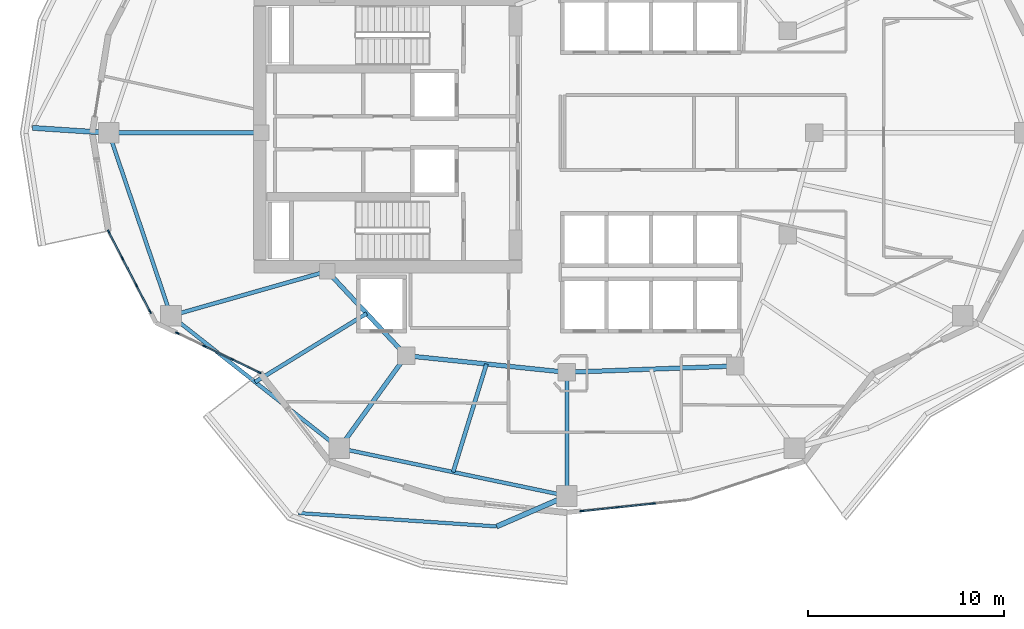
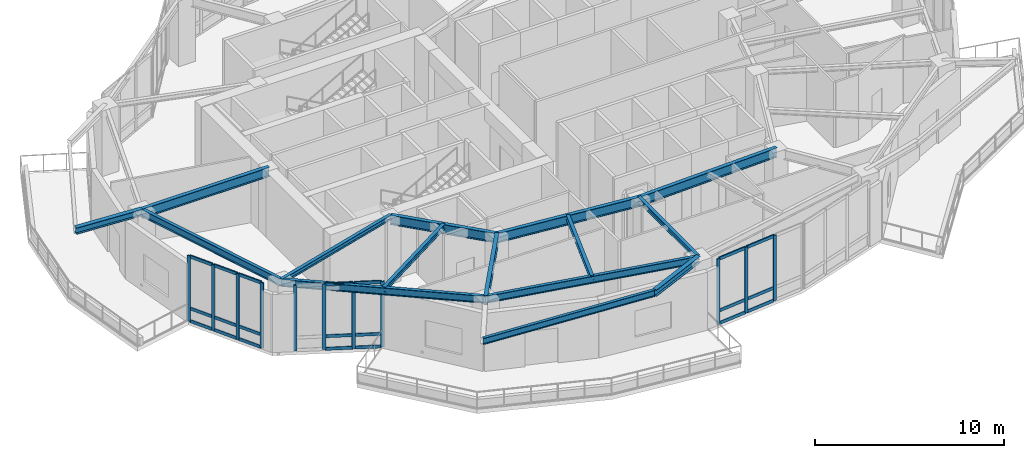
# One storey, part 2 of 16: 32 members, 15 beams, 3 elements without a shape of their own.
"""IFC4 building model written with IfcOpenShell, lengths in metres."""

import ifcopenshell
import ifcopenshell.guid

model = None  # the IFC model being written
_history = None  # IfcOwnerHistory: only IFC2X3 demands one
_inside = {}  # id of a spatial element -> (the spatial element, [elements in it])
_under = {}  # id of a project, library or spatial element -> (it, [spatial elements below it])
_declared = {}  # id of a project -> (the project, [libraries it declares])
_typed = {}  # id of a type object -> (the type object, [elements of that type])
_made_of = {}  # id of a material, layer set ... -> (it, [elements and type objects made of it])


def new_model(schema):
    """Start an empty IFC model of exactly this schema.

    Asked for "IFC4X3", IfcOpenShell would pick the latest addendum, in which some entities
    have other attributes; the version numbers below select the first issue.
    IFC2X3 requires an IfcOwnerHistory on every rooted entity: one is made here for all.
    """
    global model, _history
    if schema == "IFC4X3":
        model = ifcopenshell.file(schema_version=(4, 3, 0, 0))
    else:
        model = ifcopenshell.file(schema=schema)
    _inside.clear()
    _under.clear()
    _declared.clear()
    _typed.clear()
    _made_of.clear()
    _history = None
    if model.schema == "IFC2X3":
        org = make("IfcOrganization", Name="unknown")
        user = make(
            "IfcPersonAndOrganization",
            ThePerson=make("IfcPerson", FamilyName="unknown"),
            TheOrganization=org,
        )
        app = make(
            "IfcApplication",
            ApplicationDeveloper=org,
            Version="unknown",
            ApplicationFullName="unknown",
            ApplicationIdentifier="unknown",
        )
        _history = make(
            "IfcOwnerHistory",
            OwningUser=user,
            OwningApplication=app,
            ChangeAction="ADDED",
            CreationDate=0,
        )
    return model


def make(cls, **values):
    """One entity of the class cls with the attributes given. An attribute that is None is left unset."""
    return model.create_entity(
        cls, **{name: value for name, value in values.items() if value is not None}
    )


def rooted(cls, **values):
    """An entity with a GlobalId (a new one), such as an element, a storey or a relation."""
    return make(cls, GlobalId=ifcopenshell.guid.new(), OwnerHistory=_history, **values)


def si_unit(unit_type, name, prefix=None):
    """IfcSIUnit, for example si_unit("LENGTHUNIT", "METRE", prefix="MILLI")."""
    return make("IfcSIUnit", UnitType=unit_type, Prefix=prefix, Name=name)


def assignment(units):
    """IfcUnitAssignment: the units of a project."""
    return None if units is None else make("IfcUnitAssignment", Units=units)


def point(xyz):
    """IfcCartesianPoint."""
    return None if xyz is None else make("IfcCartesianPoint", Coordinates=xyz)


def direction(xyz):
    """IfcDirection."""
    return None if xyz is None else make("IfcDirection", DirectionRatios=xyz)


def frame(location, z_axis=None, x_axis=None):
    """IfcAxis2Placement3D, a coordinate frame: its origin and axes. An axis left out is left unset."""
    return make(
        "IfcAxis2Placement3D",
        Location=point(location),
        Axis=direction(z_axis),
        RefDirection=direction(x_axis),
    )


def frame_2d(location, x_axis=None):
    """IfcAxis2Placement2D, a coordinate frame in the plane: its origin and x axis."""
    return make(
        "IfcAxis2Placement2D", Location=point(location), RefDirection=direction(x_axis)
    )


def origin():
    """The frame at (0, 0, 0) with its axes left unset."""
    return frame((0.0, 0.0, 0.0))


def origin_2d():
    """The frame at (0, 0) in the plane with its x axis left unset."""
    return frame_2d((0.0, 0.0))


def place(relative_to, where):
    """IfcLocalPlacement: puts the frame where relative to a parent placement (None: the world)."""
    return make(
        "IfcLocalPlacement", PlacementRelTo=relative_to, RelativePlacement=where
    )


def context(
    kind, dimensions, precision=None, world=None, true_north=None, identifier=None
):
    """IfcGeometricRepresentationContext, for example the 3D "Model" context."""
    return make(
        "IfcGeometricRepresentationContext",
        ContextIdentifier=identifier,
        ContextType=kind,
        CoordinateSpaceDimension=dimensions,
        Precision=precision,
        WorldCoordinateSystem=world,
        TrueNorth=true_north,
    )


def subcontext(parent, identifier, kind, view, scale=None):
    """IfcGeometricRepresentationSubContext, for example "Body" below "Model"."""
    return make(
        "IfcGeometricRepresentationSubContext",
        ContextIdentifier=identifier,
        ContextType=kind,
        ParentContext=parent,
        TargetScale=scale,
        TargetView=view,
    )


def project(units=None, contexts=None):
    """IfcProject with its units and contexts."""
    return rooted(
        "IfcProject",
        Name="project",
        RepresentationContexts=contexts,
        UnitsInContext=assignment(units),
    )


def spatial(cls, under=None, at=None, **own):
    """A site, building, storey or space (cls), placed at a placement, below another one or the project."""
    s = rooted(cls, ObjectPlacement=at, **own)
    if under is not None:
        _under.setdefault(under.id(), (under, []))[1].append(s)
    return s


def profile(cls, at=None, kind="AREA", **sizes):
    """A parametric profile (cls). Its sizes go by their IFC names, for example OverallWidth=200.0."""
    return make(cls, ProfileType=kind, Position=at, **sizes)


def rectangle(**sizes):
    """IfcRectangleProfileDef."""
    return profile("IfcRectangleProfileDef", **sizes)


def i_section(**sizes):
    """IfcIShapeProfileDef."""
    return profile("IfcIShapeProfileDef", **sizes)


def extrude(swept, where, along, depth):
    """IfcExtrudedAreaSolid: the profile swept, set in the frame where, extruded along a direction by depth."""
    return make(
        "IfcExtrudedAreaSolid",
        SweptArea=swept,
        Position=where,
        ExtrudedDirection=direction(along),
        Depth=depth,
    )


def shape(context_of_items, identifier, shape_type, items):
    """IfcShapeRepresentation: the items that make up one representation, for example the "Body"."""
    return make(
        "IfcShapeRepresentation",
        ContextOfItems=context_of_items,
        RepresentationIdentifier=identifier,
        RepresentationType=shape_type,
        Items=items,
    )


def material(Name=None, Category=None):
    """IfcMaterial."""
    return make("IfcMaterial", Name=Name, Category=Category)


def layer(
    of_material, thickness, ventilated=None, Name=None, Category=None, Priority=None
):
    """IfcMaterialLayer: one layer of a wall or slab, of a material (None: an air gap)."""
    return make(
        "IfcMaterialLayer",
        Material=of_material,
        LayerThickness=thickness,
        IsVentilated=ventilated,
        Name=Name,
        Category=Category,
        Priority=Priority,
    )


def layer_set(layers, Name=None):
    """IfcMaterialLayerSet."""
    return make("IfcMaterialLayerSet", MaterialLayers=layers, LayerSetName=Name)


def material_profile(
    of_material, cross_section, Name=None, Category=None, Priority=None
):
    """IfcMaterialProfile: a cross section and its material."""
    return make(
        "IfcMaterialProfile",
        Name=Name,
        Material=of_material,
        Profile=cross_section,
        Priority=Priority,
        Category=Category,
    )


def profile_set(profiles, Name=None, composite=None):
    """IfcMaterialProfileSet."""
    return make(
        "IfcMaterialProfileSet",
        Name=Name,
        MaterialProfiles=profiles,
        CompositeProfile=composite,
    )


def made_of(thing, what):
    """Note that an element or type object is made of a material, layer set ...; save() writes the relation."""
    if what is not None:
        _made_of.setdefault(what.id(), (what, []))[1].append(thing)
    return thing


def type_object(cls, material=None, **own):
    """A type object (cls), such as IfcWallType, which elements share."""
    return made_of(rooted(cls, **own), material)


def element(
    cls,
    number,
    at=None,
    inside=None,
    cuts=None,
    type_object=None,
    material=None,
    context=None,
    identifier="Body",
    shape_type=None,
    held_by="IfcProductDefinitionShape",
    body=None,
    shapes=None,
    **own,
):
    """One element of the class cls, such as IfcWall. Its Tag is "e" and its number.

    at: its placement. inside: the storey or other place that contains it. cuts: it is an
    opening in that element (IfcRelVoidsElement). A single representation is given by context,
    identifier, shape_type and body (its items); several are given by shapes. held_by: the class
    of the entity that holds the representations. save() writes the other relations.
    """
    e = rooted(cls, Tag="e%d" % number, ObjectPlacement=at, **own)
    if body is not None:
        shapes = [shape(context, identifier, shape_type, body)]
    if shapes is not None:
        e.Representation = make(held_by, Representations=shapes)
    if inside is not None:
        _inside.setdefault(inside.id(), (inside, []))[1].append(e)
    if cuts is not None:
        rooted(
            "IfcRelVoidsElement", RelatingBuildingElement=cuts, RelatedOpeningElement=e
        )
    if type_object is not None:
        _typed.setdefault(type_object.id(), (type_object, []))[1].append(e)
    return made_of(e, material)


def aggregate(whole, parts):
    """IfcRelAggregates: a whole, such as a stair, and the parts it consists of."""
    return rooted("IfcRelAggregates", RelatingObject=whole, RelatedObjects=parts)


def save(model, path):
    """Write the relations noted so far, then the file.

    IfcRelAggregates (storeys below a building ...), IfcRelContainedInSpatialStructure (elements
    in a storey), IfcRelDefinesByType, IfcRelAssociatesMaterial and IfcRelDeclares: one each for
    every whole, place, type object, material and project.
    """
    for whole, parts in _under.values():
        aggregate(whole, parts)
    for where, things in _inside.values():
        rooted(
            "IfcRelContainedInSpatialStructure",
            RelatedElements=things,
            RelatingStructure=where,
        )
    for kind, things in _typed.values():
        rooted("IfcRelDefinesByType", RelatedObjects=things, RelatingType=kind)
    for what, things in _made_of.values():
        rooted("IfcRelAssociatesMaterial", RelatedObjects=things, RelatingMaterial=what)
    for by, libraries in _declared.values():
        rooted("IfcRelDeclares", RelatingContext=by, RelatedDefinitions=libraries)
    model.write(path)


model = new_model("IFC4")

# Units and contexts
model_context = context("Model", 3, precision=1e-05, world=origin(), true_north=direction((0.0, 1.0)))
body_context = subcontext(model_context, "Body", "Model", "MODEL_VIEW")
ifc_project = project(units=[si_unit("LENGTHUNIT", "METRE"), si_unit("AREAUNIT", "SQUARE_METRE"), si_unit("VOLUMEUNIT", "CUBIC_METRE"), si_unit("PLANEANGLEUNIT", "RADIAN"), si_unit("MASSUNIT", "GRAM", prefix="KILO")], contexts=[model_context])

# Site, building, storey
site_placement = place(None, origin())
site = spatial("IfcSite", under=ifc_project, at=site_placement, CompositionType="ELEMENT")
building_placement = place(site_placement, origin())
building = spatial("IfcBuilding", under=site, at=building_placement, Name="Kolvaren Gate Tower and Convention Centre", CompositionType="ELEMENT")
storey_placement = place(building_placement, frame((0.0, 0.0, 100.800048828125)))
storey = spatial("IfcBuildingStorey", under=building, at=storey_placement, Name="L24", CompositionType="ELEMENT", Elevation=100.800048828125)

# Curtain wall, members
ifc_material_1 = material(Name="Anodized Architectural Aluminium Alloy 6063-T6", Category="aluminium")
ifc_layer = layer(ifc_material_1, 0.199951171875)
ifc_layer_set = layer_set([ifc_layer], Name="Anodized Architectural Aluminium Alloy 6063-T6")
curtain_wall_type = type_object("IfcCurtainWallType", Name="CW-SKY-GLZ", PredefinedType="NOTDEFINED", material=ifc_layer_set)
curtain_wall_1_placement = place(storey_placement, origin())
curtain_wall_1 = element("IfcCurtainWall", 1, at=curtain_wall_1_placement, inside=storey, type_object=curtain_wall_type, Name="L24 Panoramic Structural Curtain Wall CW-13", PredefinedType="NOTDEFINED")
ifc_material_profile_1 = material_profile(ifc_material_1, rectangle(XDim=0.074951171875, YDim=0.199951171875, at=origin_2d()), Name="CW-MEM-MUL-200")
ifc_profile_set_1 = profile_set([ifc_material_profile_1], Name="Anodized Architectural Aluminium Alloy 6063-T6")
member_type_1 = type_object("IfcMemberType", Name="CW-MEM-MUL-200", PredefinedType="MULLION", material=ifc_profile_set_1)
member_1_placement = place(storey_placement, frame((6.779052734375, 21.95849609375, 0.0), z_axis=(0.0, 0.0, 1.0), x_axis=(0.888034046346, 0.459777699035, 0.0)))
member_1 = element("IfcMember", 2, at=member_1_placement, type_object=member_type_1, Name="CW-05 mullion 1", PredefinedType="MULLION", context=body_context, shape_type="SweptSolid", body=[
    extrude(rectangle(XDim=0.074951171875, YDim=0.199951171875, at=origin_2d()), origin(), (0.0, 0.0, 1.0), 4.22998046875),
])
member_2_placement = place(storey_placement, frame((7.474853515625, 20.6142578125, 0.0), z_axis=(0.0, 0.0, 1.0), x_axis=(0.888034046346, 0.459777699035, 0.0)))
member_2 = element("IfcMember", 3, at=member_2_placement, type_object=member_type_1, Name="CW-05 mullion 2", PredefinedType="MULLION", context=body_context, shape_type="SweptSolid", body=[
    extrude(rectangle(XDim=0.074951171875, YDim=0.199951171875, at=origin_2d()), origin(), (0.0, 0.0, 1.0), 4.22998046875),
])
member_3_placement = place(storey_placement, frame((8.188232421875, 19.236572265625, 0.0), z_axis=(0.0, 0.0, 1.0), x_axis=(0.888034046346, 0.459777699035, 0.0)))
member_3 = element("IfcMember", 4, at=member_3_placement, type_object=member_type_1, Name="CW-05 mullion 3", PredefinedType="MULLION", context=body_context, shape_type="SweptSolid", body=[
    extrude(rectangle(XDim=0.074951171875, YDim=0.199951171875, at=origin_2d()), origin(), (0.0, 0.0, 1.0), 4.22998046875),
])
member_4_placement = place(storey_placement, frame((8.88427734375, 17.892333984375, 0.0), z_axis=(0.0, 0.0, 1.0), x_axis=(0.888034046346, 0.459777699035, 0.0)))
member_4 = element("IfcMember", 5, at=member_4_placement, type_object=member_type_1, Name="CW-05 mullion 4", PredefinedType="MULLION", context=body_context, shape_type="SweptSolid", body=[
    extrude(rectangle(XDim=0.074951171875, YDim=0.199951171875, at=origin_2d()), origin(), (0.0, 0.0, 1.0), 4.22998046875),
])

curtain_wall_2_placement = place(storey_placement, origin())
curtain_wall_2 = element("IfcCurtainWall", 6, at=curtain_wall_2_placement, inside=storey, type_object=curtain_wall_type, Name="L24 Panoramic Structural Curtain Wall CW-14", PredefinedType="NOTDEFINED")
member_5_placement = place(storey_placement, frame((10.2763671875, 16.79736328125, 0.0), z_axis=(0.0, 0.0, 1.0), x_axis=(0.43307254033, 0.901359070966, 0.0)))
member_5 = element("IfcMember", 7, at=member_5_placement, type_object=member_type_1, Name="CW-05 mullion 1", PredefinedType="MULLION", context=body_context, shape_type="SweptSolid", body=[
    extrude(rectangle(XDim=0.074951171875, YDim=0.199951171875, at=origin_2d()), origin(), (0.0, 0.0, 1.0), 4.22998046875),
])
member_6_placement = place(storey_placement, frame((11.655517578125, 16.134765625, 0.0), z_axis=(0.0, 0.0, 1.0), x_axis=(0.43307254033, 0.901359070966, 0.0)))
member_6 = element("IfcMember", 8, at=member_6_placement, type_object=member_type_1, Name="CW-05 mullion 2", PredefinedType="MULLION", context=body_context, shape_type="SweptSolid", body=[
    extrude(rectangle(XDim=0.074951171875, YDim=0.199951171875, at=origin_2d()), origin(), (0.0, 0.0, 1.0), 4.22998046875),
])
member_7_placement = place(storey_placement, frame((13.068359375, 15.455810546875, 0.0), z_axis=(0.0, 0.0, 1.0), x_axis=(0.43307254033, 0.901359070966, 0.0)))
member_7 = element("IfcMember", 9, at=member_7_placement, type_object=member_type_1, Name="CW-05 mullion 3", PredefinedType="MULLION", context=body_context, shape_type="SweptSolid", body=[
    extrude(rectangle(XDim=0.074951171875, YDim=0.199951171875, at=origin_2d()), origin(), (0.0, 0.0, 1.0), 4.22998046875),
])
member_8_placement = place(storey_placement, frame((14.447509765625, 14.793212890625, 0.0), z_axis=(0.0, 0.0, 1.0), x_axis=(0.43307254033, 0.901359070966, 0.0)))
member_8 = element("IfcMember", 10, at=member_8_placement, type_object=member_type_1, Name="CW-05 mullion 4", PredefinedType="MULLION", context=body_context, shape_type="SweptSolid", body=[
    extrude(rectangle(XDim=0.074951171875, YDim=0.199951171875, at=origin_2d()), origin(), (0.0, 0.0, 1.0), 4.22998046875),
])

curtain_wall_3_placement = place(storey_placement, origin())
curtain_wall_3 = element("IfcCurtainWall", 11, at=curtain_wall_3_placement, inside=storey, type_object=curtain_wall_type, Name="L24 Panoramic Structural Curtain Wall CW-18", PredefinedType="NOTDEFINED")
member_9_placement = place(storey_placement, frame((30.88720703125, 7.730224609375, 0.0), z_axis=(0.0, 0.0, 1.0), x_axis=(-0.104728741662, 0.994500824871, 0.0)))
member_9 = element("IfcMember", 12, at=member_9_placement, type_object=member_type_1, Name="CW-05 mullion 1", PredefinedType="MULLION", context=body_context, shape_type="SweptSolid", body=[
    extrude(rectangle(XDim=0.074951171875, YDim=0.199951171875, at=origin_2d()), origin(), (0.0, 0.0, 1.0), 4.22998046875),
])
member_10_placement = place(storey_placement, frame((32.695068359375, 7.920654296875, 0.0), z_axis=(0.0, 0.0, 1.0), x_axis=(-0.104728741662, 0.994500824871, 0.0)))
member_10 = element("IfcMember", 13, at=member_10_placement, type_object=member_type_1, Name="CW-05 mullion 2", PredefinedType="MULLION", context=body_context, shape_type="SweptSolid", body=[
    extrude(rectangle(XDim=0.074951171875, YDim=0.199951171875, at=origin_2d()), origin(), (0.0, 0.0, 1.0), 4.22998046875),
])
member_11_placement = place(storey_placement, frame((34.5400390625, 8.114990234375, 0.0), z_axis=(0.0, 0.0, 1.0), x_axis=(-0.104728741662, 0.994500824871, 0.0)))
member_11 = element("IfcMember", 14, at=member_11_placement, type_object=member_type_1, Name="CW-05 mullion 3", PredefinedType="MULLION", context=body_context, shape_type="SweptSolid", body=[
    extrude(rectangle(XDim=0.074951171875, YDim=0.199951171875, at=origin_2d()), origin(), (0.0, 0.0, 1.0), 4.22998046875),
])

# Member
ifc_material_profile_2 = material_profile(ifc_material_1, rectangle(XDim=0.074951171875, YDim=0.199951171875, at=origin_2d()), Name="CW-MEM-TRN-200")
ifc_profile_set_2 = profile_set([ifc_material_profile_2], Name="Anodized Architectural Aluminium Alloy 6063-T6")
member_type_2 = type_object("IfcMemberType", Name="CW-MEM-TRN-200", PredefinedType="USERDEFINED", material=ifc_profile_set_2)
member_12_placement = place(storey_placement, frame((6.796142578125, 21.92529296875, 0.037353515625), z_axis=(0.459792131316, -0.888026573915, 0.0), x_axis=(0.888026573915, 0.459792131316, 0.0)))
member_12 = element("IfcMember", 15, at=member_12_placement, type_object=member_type_2, Name="CW-05 transom 1.1", ObjectType="TRANSOM", PredefinedType="USERDEFINED", context=body_context, shape_type="SweptSolid", body=[
    extrude(rectangle(XDim=0.074951171875, YDim=0.199951171875, at=origin_2d()), origin(), (0.0, 0.0, 1.0), 1.43896484375),
])

member_13_placement = place(storey_placement, frame((6.796142578125, 21.92529296875, 0.849853515625), z_axis=(0.459792131316, -0.888026573915, 0.0), x_axis=(0.888026573915, 0.459792131316, 0.0)))
member_13 = element("IfcMember", 16, at=member_13_placement, type_object=member_type_2, Name="CW-05 transom 1.2", ObjectType="TRANSOM", PredefinedType="USERDEFINED", context=body_context, shape_type="SweptSolid", body=[
    extrude(rectangle(XDim=0.074951171875, YDim=0.199951171875, at=origin_2d()), origin(), (0.0, 0.0, 1.0), 1.43896484375),
])

member_14_placement = place(storey_placement, frame((6.796142578125, 21.92529296875, 4.1923828125), z_axis=(0.459792131316, -0.888026573915, 0.0), x_axis=(0.888026573915, 0.459792131316, 0.0)))
member_14 = element("IfcMember", 17, at=member_14_placement, type_object=member_type_2, Name="CW-05 transom 1.3", ObjectType="TRANSOM", PredefinedType="USERDEFINED", context=body_context, shape_type="SweptSolid", body=[
    extrude(rectangle(XDim=0.074951171875, YDim=0.199951171875, at=origin_2d()), origin(), (0.0, 0.0, 1.0), 1.43896484375),
])

member_15_placement = place(storey_placement, frame((7.4921875, 20.5810546875, 0.037353515625), z_axis=(0.459737812912, -0.888054696164, 0.0), x_axis=(0.888054696164, 0.459737812912, 0.0)))
member_15 = element("IfcMember", 18, at=member_15_placement, type_object=member_type_2, Name="CW-05 transom 2.1", ObjectType="TRANSOM", PredefinedType="USERDEFINED", context=body_context, shape_type="SweptSolid", body=[
    extrude(rectangle(XDim=0.074951171875, YDim=0.199951171875, at=origin_2d()), origin(), (0.0, 0.0, 1.0), 1.476318359375),
])

member_16_placement = place(storey_placement, frame((7.4921875, 20.5810546875, 0.849853515625), z_axis=(0.459737812912, -0.888054696164, 0.0), x_axis=(0.888054696164, 0.459737812912, 0.0)))
member_16 = element("IfcMember", 19, at=member_16_placement, type_object=member_type_2, Name="CW-05 transom 2.2", ObjectType="TRANSOM", PredefinedType="USERDEFINED", context=body_context, shape_type="SweptSolid", body=[
    extrude(rectangle(XDim=0.074951171875, YDim=0.199951171875, at=origin_2d()), origin(), (0.0, 0.0, 1.0), 1.476318359375),
])

member_17_placement = place(storey_placement, frame((7.4921875, 20.5810546875, 4.1923828125), z_axis=(0.459737812912, -0.888054696164, 0.0), x_axis=(0.888054696164, 0.459737812912, 0.0)))
member_17 = element("IfcMember", 20, at=member_17_placement, type_object=member_type_2, Name="CW-05 transom 2.3", ObjectType="TRANSOM", PredefinedType="USERDEFINED", context=body_context, shape_type="SweptSolid", body=[
    extrude(rectangle(XDim=0.074951171875, YDim=0.199951171875, at=origin_2d()), origin(), (0.0, 0.0, 1.0), 1.476318359375),
])

member_18_placement = place(storey_placement, frame((8.20556640625, 19.203369140625, 0.037353515625), z_axis=(0.45965831934, -0.88809584475, 0.0), x_axis=(0.88809584475, 0.45965831934, 0.0)))
member_18 = element("IfcMember", 21, at=member_18_placement, type_object=member_type_2, Name="CW-05 transom 3.1", ObjectType="TRANSOM", PredefinedType="USERDEFINED", context=body_context, shape_type="SweptSolid", body=[
    extrude(rectangle(XDim=0.074951171875, YDim=0.199951171875, at=origin_2d()), origin(), (0.0, 0.0, 1.0), 1.43896484375),
])

member_19_placement = place(storey_placement, frame((8.20556640625, 19.203369140625, 0.849853515625), z_axis=(0.45965831934, -0.88809584475, 0.0), x_axis=(0.88809584475, 0.45965831934, 0.0)))
member_19 = element("IfcMember", 22, at=member_19_placement, type_object=member_type_2, Name="CW-05 transom 3.2", ObjectType="TRANSOM", PredefinedType="USERDEFINED", context=body_context, shape_type="SweptSolid", body=[
    extrude(rectangle(XDim=0.074951171875, YDim=0.199951171875, at=origin_2d()), origin(), (0.0, 0.0, 1.0), 1.43896484375),
])

member_20_placement = place(storey_placement, frame((8.20556640625, 19.203369140625, 4.1923828125), z_axis=(0.45965831934, -0.88809584475, 0.0), x_axis=(0.88809584475, 0.45965831934, 0.0)))
member_20 = element("IfcMember", 23, at=member_20_placement, type_object=member_type_2, Name="CW-05 transom 3.3", ObjectType="TRANSOM", PredefinedType="USERDEFINED", context=body_context, shape_type="SweptSolid", body=[
    extrude(rectangle(XDim=0.074951171875, YDim=0.199951171875, at=origin_2d()), origin(), (0.0, 0.0, 1.0), 1.43896484375),
])

aggregate(curtain_wall_1, [member_1, member_2, member_3, member_4, member_12, member_13, member_14, member_15, member_16, member_17, member_18, member_19, member_20])

member_21_placement = place(storey_placement, frame((11.689208984375, 16.118408203125, 0.037353515625), z_axis=(0.901413275345, -0.432959706013, 0.0), x_axis=(0.432959706013, 0.901413275345, 0.0)))
member_21 = element("IfcMember", 24, at=member_21_placement, type_object=member_type_2, Name="CW-05 transom 2.1", ObjectType="TRANSOM", PredefinedType="USERDEFINED", context=body_context, shape_type="SweptSolid", body=[
    extrude(rectangle(XDim=0.074951171875, YDim=0.199951171875, at=origin_2d()), origin(), (0.0, 0.0, 1.0), 1.49267578125),
])

member_22_placement = place(storey_placement, frame((11.689208984375, 16.118408203125, 0.849853515625), z_axis=(0.901413275345, -0.432959706013, 0.0), x_axis=(0.432959706013, 0.901413275345, 0.0)))
member_22 = element("IfcMember", 25, at=member_22_placement, type_object=member_type_2, Name="CW-05 transom 2.2", ObjectType="TRANSOM", PredefinedType="USERDEFINED", context=body_context, shape_type="SweptSolid", body=[
    extrude(rectangle(XDim=0.074951171875, YDim=0.199951171875, at=origin_2d()), origin(), (0.0, 0.0, 1.0), 1.49267578125),
])

member_23_placement = place(storey_placement, frame((11.689208984375, 16.118408203125, 4.1923828125), z_axis=(0.901413275345, -0.432959706013, 0.0), x_axis=(0.432959706013, 0.901413275345, 0.0)))
member_23 = element("IfcMember", 26, at=member_23_placement, type_object=member_type_2, Name="CW-05 transom 2.3", ObjectType="TRANSOM", PredefinedType="USERDEFINED", context=body_context, shape_type="SweptSolid", body=[
    extrude(rectangle(XDim=0.074951171875, YDim=0.199951171875, at=origin_2d()), origin(), (0.0, 0.0, 1.0), 1.49267578125),
])

member_24_placement = place(storey_placement, frame((13.10205078125, 15.439697265625, 0.037353515625), z_axis=(0.901394740748, -0.43299829255, 0.0), x_axis=(0.43299829255, 0.901394740748, 0.0)))
member_24 = element("IfcMember", 27, at=member_24_placement, type_object=member_type_2, Name="CW-05 transom 3.1", ObjectType="TRANSOM", PredefinedType="USERDEFINED", context=body_context, shape_type="SweptSolid", body=[
    extrude(rectangle(XDim=0.074951171875, YDim=0.199951171875, at=origin_2d()), origin(), (0.0, 0.0, 1.0), 1.455322265625),
])

member_25_placement = place(storey_placement, frame((13.10205078125, 15.439697265625, 0.849853515625), z_axis=(0.901394740748, -0.43299829255, 0.0), x_axis=(0.43299829255, 0.901394740748, 0.0)))
member_25 = element("IfcMember", 28, at=member_25_placement, type_object=member_type_2, Name="CW-05 transom 3.2", ObjectType="TRANSOM", PredefinedType="USERDEFINED", context=body_context, shape_type="SweptSolid", body=[
    extrude(rectangle(XDim=0.074951171875, YDim=0.199951171875, at=origin_2d()), origin(), (0.0, 0.0, 1.0), 1.455322265625),
])

member_26_placement = place(storey_placement, frame((13.10205078125, 15.439697265625, 4.1923828125), z_axis=(0.901394740748, -0.43299829255, 0.0), x_axis=(0.43299829255, 0.901394740748, 0.0)))
member_26 = element("IfcMember", 29, at=member_26_placement, type_object=member_type_2, Name="CW-05 transom 3.3", ObjectType="TRANSOM", PredefinedType="USERDEFINED", context=body_context, shape_type="SweptSolid", body=[
    extrude(rectangle(XDim=0.074951171875, YDim=0.199951171875, at=origin_2d()), origin(), (0.0, 0.0, 1.0), 1.455322265625),
])

aggregate(curtain_wall_2, [member_5, member_6, member_7, member_8, member_21, member_22, member_23, member_24, member_25, member_26])

member_27_placement = place(storey_placement, frame((30.924560546875, 7.734375, 0.037353515625), z_axis=(0.994509290375, 0.104648322286, 0.0), x_axis=(-0.104648322286, 0.994509290375, 0.0)))
member_27 = element("IfcMember", 30, at=member_27_placement, type_object=member_type_2, Name="CW-05 transom 1.1", ObjectType="TRANSOM", PredefinedType="USERDEFINED", context=body_context, shape_type="SweptSolid", body=[
    extrude(rectangle(XDim=0.074951171875, YDim=0.199951171875, at=origin_2d()), origin(), (0.0, 0.0, 1.0), 1.74267578125),
])

member_28_placement = place(storey_placement, frame((30.924560546875, 7.734375, 0.849853515625), z_axis=(0.994509290375, 0.104648322286, 0.0), x_axis=(-0.104648322286, 0.994509290375, 0.0)))
member_28 = element("IfcMember", 31, at=member_28_placement, type_object=member_type_2, Name="CW-05 transom 1.2", ObjectType="TRANSOM", PredefinedType="USERDEFINED", context=body_context, shape_type="SweptSolid", body=[
    extrude(rectangle(XDim=0.074951171875, YDim=0.199951171875, at=origin_2d()), origin(), (0.0, 0.0, 1.0), 1.74267578125),
])

member_29_placement = place(storey_placement, frame((30.924560546875, 7.734375, 4.1923828125), z_axis=(0.994509290375, 0.104648322286, 0.0), x_axis=(-0.104648322286, 0.994509290375, 0.0)))
member_29 = element("IfcMember", 32, at=member_29_placement, type_object=member_type_2, Name="CW-05 transom 1.3", ObjectType="TRANSOM", PredefinedType="USERDEFINED", context=body_context, shape_type="SweptSolid", body=[
    extrude(rectangle(XDim=0.074951171875, YDim=0.199951171875, at=origin_2d()), origin(), (0.0, 0.0, 1.0), 1.74267578125),
])

member_30_placement = place(storey_placement, frame((32.732421875, 7.924560546875, 0.037353515625), z_axis=(0.994496432196, 0.104770445973, 0.0), x_axis=(-0.104770445973, 0.994496432196, 0.0)))
member_30 = element("IfcMember", 33, at=member_30_placement, type_object=member_type_2, Name="CW-05 transom 2.1", ObjectType="TRANSOM", PredefinedType="USERDEFINED", context=body_context, shape_type="SweptSolid", body=[
    extrude(rectangle(XDim=0.074951171875, YDim=0.199951171875, at=origin_2d()), origin(), (0.0, 0.0, 1.0), 1.7802734375),
])

member_31_placement = place(storey_placement, frame((32.732421875, 7.924560546875, 0.849853515625), z_axis=(0.994496432196, 0.104770445973, 0.0), x_axis=(-0.104770445973, 0.994496432196, 0.0)))
member_31 = element("IfcMember", 34, at=member_31_placement, type_object=member_type_2, Name="CW-05 transom 2.2", ObjectType="TRANSOM", PredefinedType="USERDEFINED", context=body_context, shape_type="SweptSolid", body=[
    extrude(rectangle(XDim=0.074951171875, YDim=0.199951171875, at=origin_2d()), origin(), (0.0, 0.0, 1.0), 1.7802734375),
])

member_32_placement = place(storey_placement, frame((32.732421875, 7.924560546875, 4.1923828125), z_axis=(0.994496432196, 0.104770445973, 0.0), x_axis=(-0.104770445973, 0.994496432196, 0.0)))
member_32 = element("IfcMember", 35, at=member_32_placement, type_object=member_type_2, Name="CW-05 transom 2.3", ObjectType="TRANSOM", PredefinedType="USERDEFINED", context=body_context, shape_type="SweptSolid", body=[
    extrude(rectangle(XDim=0.074951171875, YDim=0.199951171875, at=origin_2d()), origin(), (0.0, 0.0, 1.0), 1.7802734375),
])

aggregate(curtain_wall_3, [member_9, member_10, member_11, member_27, member_28, member_29, member_30, member_31, member_32])

# Beams
ifc_material_2 = material(Name="Structural steel ASTM A992 Grade 345 MPa", Category="steel")
ifc_material_profile_3 = material_profile(ifc_material_2, i_section(OverallWidth=0.260009765625, OverallDepth=0.419921875, WebThickness=0.013427734375, FlangeThickness=0.0224609375, at=origin_2d()), Name="W410X132")
ifc_profile_set_3 = profile_set([ifc_material_profile_3], Name="Structural steel ASTM A992 Grade 345 MPa")
beam_type_1 = type_object("IfcBeamType", Name="STR-BM-W410X132", PredefinedType="BEAM", material=ifc_profile_set_3)
for number, where, z_axis, x_axis, name in (
    (36, (6.78759765625, 27.0, 4.0205078125), (-0.997849773417, 0.06554257922, 0.0), (-0.06554257922, -0.997849773417, 0.0), "Tower L25 Planted Balcony Outrigger Cantilever BC-2B"),
    (37, (30.125, 8.5, 4.0205078125), (-0.917050150006, -0.398771892657, 0.0), (0.398771892657, -0.917050150006, 0.0), "Tower L25 Planted Balcony Outrigger Cantilever BC-3B"),
):
    element("IfcBeam", number, at=place(storey_placement, frame(where, z_axis=z_axis, x_axis=x_axis)), inside=storey, type_object=beam_type_1, Name=name, PredefinedType="BEAM", context=body_context, shape_type="SweptSolid", body=[
        extrude(i_section(OverallWidth=0.260009765625, OverallDepth=0.419921875, WebThickness=0.013427734375, FlangeThickness=0.0224609375, at=origin_2d()), origin(), (0.0, 0.0, 1.0), 3.89990234375),
    ])
ifc_material_profile_4 = material_profile(ifc_material_2, i_section(OverallWidth=0.22998046875, OverallDepth=0.616943359375, WebThickness=0.01318359375, FlangeThickness=0.022216796875, at=origin_2d()), Name="W610X140")
ifc_profile_set_4 = profile_set([ifc_material_profile_4], Name="Structural steel ASTM A992 Grade 345 MPa")
beam_type_2 = type_object("IfcBeamType", Name="STR-BM-W610X140", PredefinedType="BEAM", material=ifc_profile_set_4)
beam_1_placement = place(storey_placement, frame((17.9140625, 19.949951171875, 3.92138671875), z_axis=(0.682557592987, -0.730831808459, 0.0), x_axis=(0.730831808459, 0.682557592987, 0.0)))
element("IfcBeam", 38, at=beam_1_placement, inside=storey, type_object=beam_type_2, Name="Tower L24 Primary Ring Girder G-06", PredefinedType="BEAM", context=body_context, shape_type="SweptSolid", body=[
    extrude(i_section(OverallWidth=0.22998046875, OverallDepth=0.616943359375, WebThickness=0.01318359375, FlangeThickness=0.022216796875, at=origin_2d()), origin(), (0.0, 0.0, 1.0), 5.88671875),
])
beam_2_placement = place(storey_placement, frame((21.93212890625, 15.647705078125, 3.92138671875), z_axis=(0.994690329115, -0.102913308978, 0.0), x_axis=(0.102913308978, 0.994690329115, 0.0)))
element("IfcBeam", 39, at=beam_2_placement, inside=storey, type_object=beam_type_2, Name="Tower L24 Primary Ring Girder G-07", PredefinedType="BEAM", context=body_context, shape_type="SweptSolid", body=[
    extrude(i_section(OverallWidth=0.22998046875, OverallDepth=0.616943359375, WebThickness=0.01318359375, FlangeThickness=0.022216796875, at=origin_2d()), origin(), (0.0, 0.0, 1.0), 8.236572265625),
])
beam_3_placement = place(storey_placement, frame((30.125, 14.800048828125, 3.92138671875), z_axis=(0.999301712453, 0.037364254142, 0.0), x_axis=(-0.037364254142, 0.999301712453, 0.0)))
element("IfcBeam", 40, at=beam_3_placement, inside=storey, type_object=beam_type_2, Name="Tower L24 Primary Ring Girder G-08", PredefinedType="BEAM", context=body_context, shape_type="SweptSolid", body=[
    extrude(i_section(OverallWidth=0.22998046875, OverallDepth=0.616943359375, WebThickness=0.01318359375, FlangeThickness=0.022216796875, at=origin_2d()), origin(), (0.0, 0.0, 1.0), 8.579345703125),
])
beam_4_placement = place(storey_placement, frame((14.550048828125, 27.0, 3.92138671875), z_axis=(-1.0, 0.0, 0.0), x_axis=(0.0, -1.0, 0.0)))
element("IfcBeam", 41, at=beam_4_placement, inside=storey, type_object=beam_type_2, Name="Tower L24 Radial Floor Girder RB-07", PredefinedType="BEAM", context=body_context, shape_type="SweptSolid", body=[
    extrude(i_section(OverallWidth=0.22998046875, OverallDepth=0.616943359375, WebThickness=0.01318359375, FlangeThickness=0.022216796875, at=origin_2d()), origin(), (0.0, 0.0, 1.0), 7.762451171875),
])
beam_5_placement = place(storey_placement, frame((21.93212890625, 15.647705078125, 3.92138671875), z_axis=(-0.585210043569, -0.810881745328, 0.0), x_axis=(0.810881745328, -0.585210043569, 0.0)))
element("IfcBeam", 42, at=beam_5_placement, inside=storey, type_object=beam_type_2, Name="Tower L24 Radial Floor Girder RB-09", PredefinedType="BEAM", context=body_context, shape_type="SweptSolid", body=[
    extrude(i_section(OverallWidth=0.22998046875, OverallDepth=0.616943359375, WebThickness=0.01318359375, FlangeThickness=0.022216796875, at=origin_2d()), origin(), (0.0, 0.0, 1.0), 5.81591796875),
])
ifc_material_profile_5 = material_profile(ifc_material_2, i_section(OverallWidth=0.205078125, OverallDepth=0.31005859375, WebThickness=0.009521484375, FlangeThickness=0.016357421875, at=origin_2d()), Name="W310X74")
ifc_profile_set_5 = profile_set([ifc_material_profile_5], Name="Structural steel ASTM A992 Grade 345 MPa")
beam_type_3 = type_object("IfcBeamType", Name="STR-JS-W310X74", PredefinedType="JOIST", material=ifc_profile_set_5)
beam_6_placement = place(storey_placement, frame((17.9140625, 19.949951171875, 4.074951171875), z_axis=(-0.961746134311, -0.27394228067, 0.0), x_axis=(0.27394228067, -0.961746134311, 0.0)))
element("IfcBeam", 43, at=beam_6_placement, inside=storey, type_object=beam_type_3, Name="Tower L24 Radial Floor Girder RB-08", PredefinedType="JOIST", context=body_context, shape_type="SweptSolid", body=[
    extrude(i_section(OverallWidth=0.205078125, OverallDepth=0.31005859375, WebThickness=0.009521484375, FlangeThickness=0.016357421875, at=origin_2d()), origin(), (0.0, 0.0, 1.0), 8.28125),
])
beam_7_placement = place(storey_placement, frame((30.125, 14.800048828125, 4.074951171875), z_axis=(0.0, -1.0, 0.0), x_axis=(1.0, 0.0, 0.0)))
element("IfcBeam", 44, at=beam_7_placement, inside=storey, type_object=beam_type_3, Name="Tower L24 Radial Floor Girder RB-10", PredefinedType="JOIST", context=body_context, shape_type="SweptSolid", body=[
    extrude(i_section(OverallWidth=0.205078125, OverallDepth=0.31005859375, WebThickness=0.009521484375, FlangeThickness=0.016357421875, at=origin_2d()), origin(), (0.0, 0.0, 1.0), 6.300048828125),
])
beam_8_placement = place(storey_placement, frame((19.923095703125, 17.798828125, 4.074951171875), z_axis=(-0.852013723702, -0.523519450091, 0.0), x_axis=(0.523519450091, -0.852013723702, 0.0)))
element("IfcBeam", 45, at=beam_8_placement, inside=storey, type_object=beam_type_3, Name="Tower L24 Secondary Composite Floor Joist J-08.1", PredefinedType="JOIST", context=body_context, shape_type="SweptSolid", body=[
    extrude(i_section(OverallWidth=0.205078125, OverallDepth=0.31005859375, WebThickness=0.009521484375, FlangeThickness=0.016357421875, at=origin_2d()), origin(), (0.0, 0.0, 1.0), 6.671142578125),
])
beam_9_placement = place(storey_placement, frame((26.028564453125, 15.223876953125, 4.074951171875), z_axis=(-0.295174836894, -0.95544325612, 0.0), x_axis=(0.95544325612, -0.295174836894, 0.0)))
element("IfcBeam", 46, at=beam_9_placement, inside=storey, type_object=beam_type_3, Name="Tower L24 Secondary Composite Floor Joist J-09.1", PredefinedType="JOIST", context=body_context, shape_type="SweptSolid", body=[
    extrude(i_section(OverallWidth=0.205078125, OverallDepth=0.31005859375, WebThickness=0.009521484375, FlangeThickness=0.016357421875, at=origin_2d()), origin(), (0.0, 0.0, 1.0), 5.764892578125),
])
ifc_material_profile_6 = material_profile(ifc_material_2, i_section(OverallWidth=0.180908203125, OverallDepth=0.4169921875, WebThickness=0.010986328125, FlangeThickness=0.018310546875, at=origin_2d()), Name="W410X85")
ifc_profile_set_6 = profile_set([ifc_material_profile_6], Name="Structural steel ASTM A992 Grade 345 MPa")
beam_type_4 = type_object("IfcBeamType", Name="STR-SP-W410X85", PredefinedType="SPANDREL", material=ifc_profile_set_6)
beam_10_placement = place(storey_placement, frame((16.455810546875, 7.628173828125, 4.02197265625), z_axis=(0.997715743808, -0.067552161754, 0.0), x_axis=(0.067552161754, 0.997715743808, 0.0)))
element("IfcBeam", 47, at=beam_10_placement, inside=storey, type_object=beam_type_4, Name="Tower L25 Planted Balcony Header Tie Beam BT-3", PredefinedType="SPANDREL", context=body_context, shape_type="SweptSolid", body=[
    extrude(i_section(OverallWidth=0.180908203125, OverallDepth=0.4169921875, WebThickness=0.010986328125, FlangeThickness=0.018310546875, at=origin_2d()), origin(), (0.0, 0.0, 1.0), 10.115966796875),
])
ifc_material_profile_7 = material_profile(ifc_material_2, i_section(OverallWidth=0.194091796875, OverallDepth=0.468994140625, WebThickness=0.0126953125, FlangeThickness=0.0205078125, at=origin_2d()), Name="W460X106")
ifc_profile_set_7 = profile_set([ifc_material_profile_7], Name="Structural steel ASTM A992 Grade 345 MPa")
beam_type_5 = type_object("IfcBeamType", Name="STR-SP-W460X106", PredefinedType="SPANDREL", material=ifc_profile_set_7)
beam_11_placement = place(storey_placement, frame((6.78759765625, 27.0, 3.995361328125), z_axis=(0.321336471485, -0.946965084939, 0.0), x_axis=(0.946965084939, 0.321336471485, 0.0)))
element("IfcBeam", 48, at=beam_11_placement, inside=storey, type_object=beam_type_5, Name="Tower L24 Perimeter Spandrel Beam SP-07", PredefinedType="SPANDREL", context=body_context, shape_type="SweptSolid", body=[
    extrude(i_section(OverallWidth=0.194091796875, OverallDepth=0.468994140625, WebThickness=0.0126953125, FlangeThickness=0.0205078125, at=origin_2d()), origin(), (0.0, 0.0, 1.0), 9.840576171875),
])
beam_12_placement = place(storey_placement, frame((9.94970703125, 17.681396484375, 3.995361328125), z_axis=(0.785907610354, -0.618343939881, 0.0), x_axis=(0.618343939881, 0.785907610354, 0.0)))
element("IfcBeam", 49, at=beam_12_placement, inside=storey, type_object=beam_type_5, Name="Tower L24 Perimeter Spandrel Beam SP-08", PredefinedType="SPANDREL", context=body_context, shape_type="SweptSolid", body=[
    extrude(i_section(OverallWidth=0.194091796875, OverallDepth=0.468994140625, WebThickness=0.0126953125, FlangeThickness=0.0205078125, at=origin_2d()), origin(), (0.0, 0.0, 1.0), 10.915771484375),
])
beam_13_placement = place(storey_placement, frame((18.528564453125, 10.931640625, 3.995361328125), z_axis=(0.978714746947, -0.205225349578, 0.0), x_axis=(0.205225349578, 0.978714746947, 0.0)))
element("IfcBeam", 50, at=beam_13_placement, inside=storey, type_object=beam_type_5, Name="Tower L24 Perimeter Spandrel Beam SP-09", PredefinedType="SPANDREL", context=body_context, shape_type="SweptSolid", body=[
    extrude(i_section(OverallWidth=0.194091796875, OverallDepth=0.468994140625, WebThickness=0.0126953125, FlangeThickness=0.0205078125, at=origin_2d()), origin(), (0.0, 0.0, 1.0), 11.8486328125),
])

save(model, "model.ifc")
